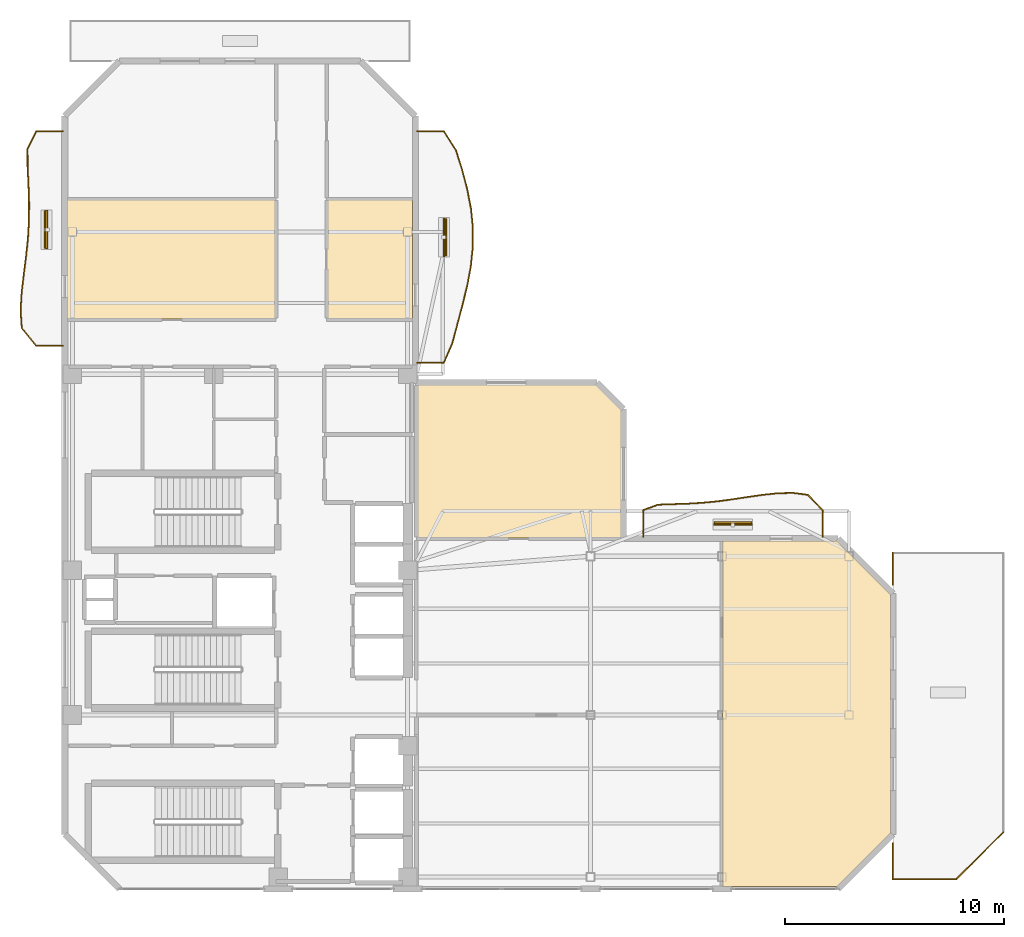
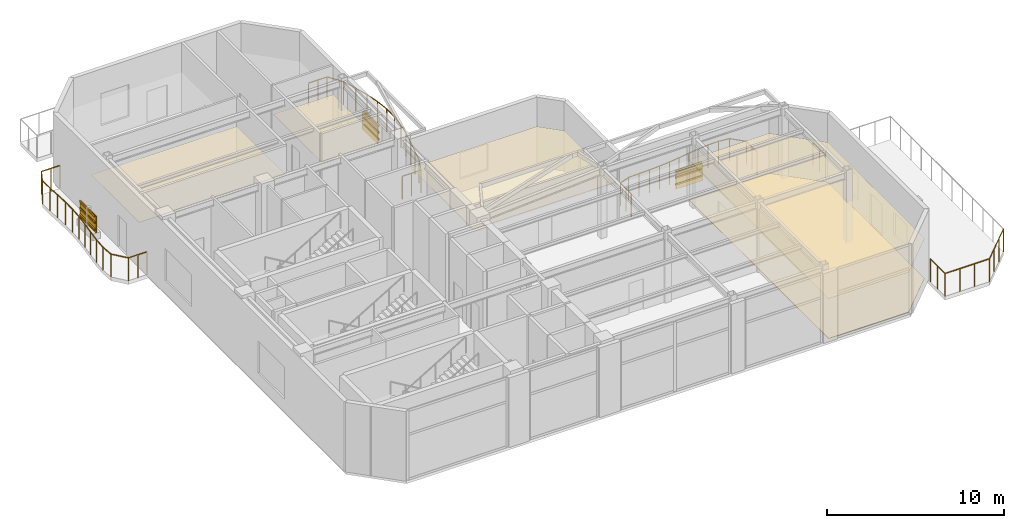
# One storey, part 13 of 14: 12 shading devices, 7 railings, 5 coverings.
"""IFC4 building model written with IfcOpenShell, lengths in metres."""

from ifc_helpers import new_model, si_unit, direction, frame, origin, origin_2d, place, context, subcontext, project, spatial, polyline, rectangle, outline, extrude, material, layer, layer_set, material_profile, profile_set, type_object, element, save


model = new_model("IFC4")

# Units and contexts
model_context = context("Model", 3, precision=1e-05, world=origin(), true_north=direction((0.0, 1.0)))
body_context = subcontext(model_context, "Body", "Model", "MODEL_VIEW")
ifc_project = project(units=[si_unit("LENGTHUNIT", "METRE"), si_unit("AREAUNIT", "SQUARE_METRE"), si_unit("VOLUMEUNIT", "CUBIC_METRE"), si_unit("PLANEANGLEUNIT", "RADIAN"), si_unit("MASSUNIT", "GRAM", prefix="KILO")], contexts=[model_context])

# Site, building, storey
site_placement = place(None, origin())
site = spatial("IfcSite", under=ifc_project, at=site_placement, CompositionType="ELEMENT")
building_placement = place(site_placement, origin())
building = spatial("IfcBuilding", under=site, at=building_placement, Name="Mawjaban Terraces University", CompositionType="ELEMENT")
storey_placement = place(building_placement, frame((0.0, 0.0, 243.199951171875)))
storey = spatial("IfcBuildingStorey", under=building, at=storey_placement, Name="L59", CompositionType="ELEMENT", Elevation=243.199951171875)

# Coverings
ifc_material_1 = material(Name="Acoustic mineral fibre ceiling tile", Category="masonry")
ifc_layer_1 = layer(ifc_material_1, 0.02001953125)
ifc_layer_set_1 = layer_set([ifc_layer_1], Name="Acoustic mineral fibre ceiling tile")
covering_type_1 = type_object("IfcCoveringType", Name="AcousticMineralCeiling_20", PredefinedType="CEILING", material=ifc_layer_set_1)
covering_1_placement = place(storey_placement, frame((0.0, 0.0, 2.75)))
element("IfcCovering", 1, at=covering_1_placement, inside=storey, type_object=covering_type_1, Name="L59 Upper Research Sky Commons Acoustic Ceiling", PredefinedType="CEILING", context=body_context, shape_type="SweptSolid", body=[
    extrude(outline(polyline([(52.030029296875, 0.114990234375), (57.2529296875, 0.114990234375), (59.68505859375, 2.547119140625), (59.68505859375, 13.452880859375), (57.2529296875, 15.885009765625), (52.030029296875, 15.885009765625), (52.030029296875, 0.114990234375)])), origin(), (0.0, 0.0, 1.0), 0.02001953125),
])
covering_2_placement = place(storey_placement, frame((0.0, 0.0, 2.75)))
element("IfcCovering", 2, at=covering_2_placement, inside=storey, type_object=covering_type_1, Name="L59 High-Rise Terrace Study Room Acoustic Ceiling", PredefinedType="CEILING", context=body_context, shape_type="SweptSolid", body=[
    extrude(outline(polyline([(47.385009765625, 16.030029296875), (47.385009765625, 21.8779296875), (46.2529296875, 23.010009765625), (38.080078125, 23.010009765625), (38.080078125, 16.030029296875), (47.385009765625, 16.030029296875)])), origin(), (0.0, 0.0, 1.0), 0.02001953125),
])
covering_3_placement = place(storey_placement, frame((0.0, 0.0, 2.75)))
element("IfcCovering", 3, at=covering_3_placement, inside=storey, type_object=covering_type_1, Name="L59 Research Dean Office Acoustic Ceiling", PredefinedType="CEILING", context=body_context, shape_type="SweptSolid", body=[
    extrude(outline(polyline([(37.885009765625, 26.030029296875), (37.885009765625, 31.469970703125), (33.97998046875, 31.469970703125), (33.97998046875, 26.030029296875), (37.885009765625, 26.030029296875)])), origin(), (0.0, 0.0, 1.0), 0.02001953125),
])
covering_4_placement = place(storey_placement, frame((0.0, 0.0, 2.75)))
element("IfcCovering", 4, at=covering_4_placement, inside=storey, type_object=covering_type_1, Name="L59 Doctoral Research Workspace Acoustic Ceiling", PredefinedType="CEILING", context=body_context, shape_type="SweptSolid", body=[
    extrude(outline(polyline([(22.114990234375, 31.469970703125), (22.114990234375, 26.030029296875), (31.6201171875, 26.030029296875), (31.6201171875, 31.469970703125), (22.114990234375, 31.469970703125)])), origin(), (0.0, 0.0, 1.0), 0.02001953125),
])

# Railings
ifc_material_2 = material(Name="Galvanised powder-coated steel S355", Category="steel")
railing_type = type_object("IfcRailingType", Name="BalconyBalustrade_1600", PredefinedType="BALUSTRADE", material=ifc_material_2)
railing_1_placement = place(storey_placement, frame((21.919921875, 24.800048828125, 0.0)))
element("IfcRailing", 5, at=railing_1_placement, inside=storey, type_object=railing_type, Name="L59 Balcony Guardrail west", PredefinedType="BALUSTRADE", context=body_context, shape_type="SweptSolid", body=[
    extrude(rectangle(XDim=0.048095703125, YDim=0.048095703125, at=origin_2d()), frame((0.0, 0.0, 1.576171875), z_axis=(-1.0, 0.0, 0.0), x_axis=(0.0, -1.0, 0.0)), (0.0, 0.0, 1.0), 1.219970703125),
    extrude(rectangle(XDim=0.048095703125, YDim=0.048095703125, at=origin_2d()), frame((-1.219970703125, 0.0, 1.576171875), z_axis=(-0.632455870978, 0.774596392494, 0.0), x_axis=(-0.774596392494, -0.632455870978, 0.0)), (0.0, 0.0, 1.0), 1.0546875),
    extrude(rectangle(XDim=0.048095703125, YDim=0.048095703125, at=origin_2d()), frame((-1.886962890625, 0.81689453125, 1.576171875), z_axis=(-0.063586288171, 0.997976344387, 0.0), x_axis=(-0.997976344387, -0.063586288171, 0.0)), (0.0, 0.0, 1.0), 0.81787109375),
    extrude(rectangle(XDim=0.048095703125, YDim=0.048095703125, at=origin_2d()), frame((-1.93896484375, 1.633056640625, 1.576171875), z_axis=(0.061152519077, 0.998128433324, 0.0), x_axis=(-0.998128433324, 0.061152519077, 0.0)), (0.0, 0.0, 1.0), 0.818359375),
    extrude(rectangle(XDim=0.048095703125, YDim=0.048095703125, at=origin_2d()), frame((-1.888916015625, 2.449951171875, 1.576171875), z_axis=(0.116651804912, 0.993172873376, 0.0), x_axis=(-0.993172873376, 0.116651804912, 0.0)), (0.0, 0.0, 1.0), 0.822509765625),
    extrude(rectangle(XDim=0.048095703125, YDim=0.048095703125, at=origin_2d()), frame((-1.79296875, 3.266845703125, 1.576171875), z_axis=(0.126408243371, 0.991978304202, 0.0), x_axis=(-0.991978304202, 0.126408243371, 0.0)), (0.0, 0.0, 1.0), 0.82275390625),
    extrude(rectangle(XDim=0.048095703125, YDim=0.048095703125, at=origin_2d()), frame((-1.68896484375, 4.0830078125, 1.576171875), z_axis=(0.103446794992, 0.994634988629, 0.0), x_axis=(-0.994634988629, 0.103446794992, 0.0)), (0.0, 0.0, 1.0), 0.8212890625),
    extrude(rectangle(XDim=0.048095703125, YDim=0.048095703125, at=origin_2d()), frame((-1.60400390625, 4.89990234375, 1.576171875), z_axis=(0.057567949493, 0.998341590434, 0.0), x_axis=(-0.998341590434, 0.057567949493, 0.0)), (0.0, 0.0, 1.0), 0.818603515625),
    extrude(rectangle(XDim=0.048095703125, YDim=0.048095703125, at=origin_2d()), frame((-1.556884765625, 5.717041015625, 1.576171875), z_axis=(0.007181143377, 0.999974215257, 0.0), x_axis=(-0.999974215257, 0.007181143377, 0.0)), (0.0, 0.0, 1.0), 0.81591796875),
    extrude(rectangle(XDim=0.048095703125, YDim=0.048095703125, at=origin_2d()), frame((-1.551025390625, 6.532958984375, 1.576171875), z_axis=(-0.035244079696, 0.999378734438, 0.0), x_axis=(-0.999378734438, -0.035244079696, 0.0)), (0.0, 0.0, 1.0), 0.8173828125),
    extrude(rectangle(XDim=0.048095703125, YDim=0.048095703125, at=origin_2d()), frame((-1.579833984375, 7.349853515625, 1.576171875), z_axis=(-0.04894038811, 0.998801701246, 0.0), x_axis=(-0.998801701246, -0.04894038811, 0.0)), (0.0, 0.0, 1.0), 0.818115234375),
    extrude(rectangle(XDim=0.048095703125, YDim=0.048095703125, at=origin_2d()), frame((-1.619873046875, 8.1669921875, 1.576171875), z_axis=(-0.003590641126, 0.999993553627, 0.0), x_axis=(-0.999993553627, -0.003590641126, 0.0)), (0.0, 0.0, 1.0), 0.81591796875),
    extrude(rectangle(XDim=0.048095703125, YDim=0.048095703125, at=origin_2d()), frame((-1.622802734375, 8.98291015625, 1.576171875), z_axis=(0.442168460361, 0.89693202232, 0.0), x_axis=(-0.89693202232, 0.442168460361, 0.0)), (0.0, 0.0, 1.0), 0.9111328125),
    extrude(rectangle(XDim=0.048095703125, YDim=0.048095703125, at=origin_2d()), frame((-1.219970703125, 9.800048828125, 1.576171875), z_axis=(1.0, 0.0, 0.0), x_axis=(0.0, 1.0, 0.0)), (0.0, 0.0, 1.0), 1.219970703125),
    extrude(rectangle(XDim=0.0419921875, YDim=0.0419921875, at=origin_2d()), origin(), (0.0, 0.0, 1.0), 1.552001953125),
    extrude(rectangle(XDim=0.0419921875, YDim=0.0419921875, at=origin_2d()), frame((-0.60986328125, 0.0, 0.0)), (0.0, 0.0, 1.0), 1.552001953125),
    extrude(rectangle(XDim=0.0419921875, YDim=0.0419921875, at=origin_2d()), frame((-1.219970703125, 0.0, 0.0)), (0.0, 0.0, 1.0), 1.552001953125),
    extrude(rectangle(XDim=0.0419921875, YDim=0.0419921875, at=origin_2d()), frame((-1.886962890625, 0.81689453125, 0.0)), (0.0, 0.0, 1.0), 1.552001953125),
    extrude(rectangle(XDim=0.0419921875, YDim=0.0419921875, at=origin_2d()), frame((-1.93896484375, 1.633056640625, 0.0)), (0.0, 0.0, 1.0), 1.552001953125),
    extrude(rectangle(XDim=0.0419921875, YDim=0.0419921875, at=origin_2d()), frame((-1.888916015625, 2.449951171875, 0.0)), (0.0, 0.0, 1.0), 1.552001953125),
    extrude(rectangle(XDim=0.0419921875, YDim=0.0419921875, at=origin_2d()), frame((-1.79296875, 3.266845703125, 0.0)), (0.0, 0.0, 1.0), 1.552001953125),
    extrude(rectangle(XDim=0.0419921875, YDim=0.0419921875, at=origin_2d()), frame((-1.68896484375, 4.0830078125, 0.0)), (0.0, 0.0, 1.0), 1.552001953125),
    extrude(rectangle(XDim=0.0419921875, YDim=0.0419921875, at=origin_2d()), frame((-1.60400390625, 4.89990234375, 0.0)), (0.0, 0.0, 1.0), 1.552001953125),
    extrude(rectangle(XDim=0.0419921875, YDim=0.0419921875, at=origin_2d()), frame((-1.556884765625, 5.717041015625, 0.0)), (0.0, 0.0, 1.0), 1.552001953125),
    extrude(rectangle(XDim=0.0419921875, YDim=0.0419921875, at=origin_2d()), frame((-1.551025390625, 6.532958984375, 0.0)), (0.0, 0.0, 1.0), 1.552001953125),
    extrude(rectangle(XDim=0.0419921875, YDim=0.0419921875, at=origin_2d()), frame((-1.579833984375, 7.349853515625, 0.0)), (0.0, 0.0, 1.0), 1.552001953125),
    extrude(rectangle(XDim=0.0419921875, YDim=0.0419921875, at=origin_2d()), frame((-1.619873046875, 8.1669921875, 0.0)), (0.0, 0.0, 1.0), 1.552001953125),
    extrude(rectangle(XDim=0.0419921875, YDim=0.0419921875, at=origin_2d()), frame((-1.622802734375, 8.98291015625, 0.0)), (0.0, 0.0, 1.0), 1.552001953125),
    extrude(rectangle(XDim=0.0419921875, YDim=0.0419921875, at=origin_2d()), frame((-1.219970703125, 9.800048828125, 0.0)), (0.0, 0.0, 1.0), 1.552001953125),
    extrude(rectangle(XDim=0.0419921875, YDim=0.0419921875, at=origin_2d()), frame((-0.60986328125, 9.800048828125, 0.0)), (0.0, 0.0, 1.0), 1.552001953125),
    extrude(rectangle(XDim=0.0419921875, YDim=0.0419921875, at=origin_2d()), frame((0.0, 9.800048828125, 0.0)), (0.0, 0.0, 1.0), 1.552001953125),
])
railing_2_placement = place(storey_placement, frame((48.39990234375, 16.080078125, 0.0)))
element("IfcRailing", 6, at=railing_2_placement, inside=storey, type_object=railing_type, Name="L59 Balcony Guardrail inner_north", PredefinedType="BALUSTRADE", context=body_context, shape_type="SweptSolid", body=[
    extrude(rectangle(XDim=0.048095703125, YDim=0.048095703125, at=origin_2d()), frame((0.0, 0.0, 1.576171875), z_axis=(0.0, 1.0, 0.0), x_axis=(-1.0, 0.0, 0.0)), (0.0, 0.0, 1.0), 1.219970703125),
    extrude(rectangle(XDim=0.048095703125, YDim=0.048095703125, at=origin_2d()), frame((0.0, 1.219970703125, 1.576171875), z_axis=(0.938217106188, 0.346047195706, 0.0), x_axis=(-0.346047195706, 0.938217106188, 0.0)), (0.0, 0.0, 1.0), 0.72802734375),
    extrude(rectangle(XDim=0.048095703125, YDim=0.048095703125, at=origin_2d()), frame((0.68310546875, 1.471923828125, 1.576171875), z_axis=(0.999338084243, 0.036378474159, 0.0), x_axis=(-0.036378474159, 0.999338084243, 0.0)), (0.0, 0.0, 1.0), 0.6845703125),
    extrude(rectangle(XDim=0.048095703125, YDim=0.048095703125, at=origin_2d()), frame((1.3671875, 1.496826171875, 1.576171875), z_axis=(0.999471161284, 0.032517653084, 0.0), x_axis=(-0.032517653084, 0.999471161284, 0.0)), (0.0, 0.0, 1.0), 0.68310546875),
    extrude(rectangle(XDim=0.048095703125, YDim=0.048095703125, at=origin_2d()), frame((2.050048828125, 1.51904296875, 1.576171875), z_axis=(0.998115905208, 0.061356660363, 0.0), x_axis=(-0.061356660363, 0.998115905208, 0.0)), (0.0, 0.0, 1.0), 0.684326171875),
    extrude(rectangle(XDim=0.048095703125, YDim=0.048095703125, at=origin_2d()), frame((2.733154296875, 1.56103515625, 1.576171875), z_axis=(0.995110784009, 0.098765011765, 0.0), x_axis=(-0.098765011765, 0.995110784009, 0.0)), (0.0, 0.0, 1.0), 0.687255859375),
    extrude(rectangle(XDim=0.048095703125, YDim=0.048095703125, at=origin_2d()), frame((3.4169921875, 1.62890625, 1.576171875), z_axis=(0.991230994421, 0.132140514982, 0.0), x_axis=(-0.132140514982, 0.991230994421, 0.0)), (0.0, 0.0, 1.0), 0.689208984375),
    extrude(rectangle(XDim=0.048095703125, YDim=0.048095703125, at=origin_2d()), frame((4.10009765625, 1.719970703125, 1.576171875), z_axis=(0.988607410539, 0.150517068224, 0.0), x_axis=(-0.150517068224, 0.988607410539, 0.0)), (0.0, 0.0, 1.0), 0.69091796875),
    extrude(rectangle(XDim=0.048095703125, YDim=0.048095703125, at=origin_2d()), frame((4.783203125, 1.823974609375, 1.576171875), z_axis=(0.989907039708, 0.141718215967, 0.0), x_axis=(-0.141718215967, 0.989907039708, 0.0)), (0.0, 0.0, 1.0), 0.69091796875),
    extrude(rectangle(XDim=0.048095703125, YDim=0.048095703125, at=origin_2d()), frame((5.467041015625, 1.921875, 1.576171875), z_axis=(0.994487911018, 0.104851298696, 0.0), x_axis=(-0.104851298696, 0.994487911018, 0.0)), (0.0, 0.0, 1.0), 0.68701171875),
    extrude(rectangle(XDim=0.048095703125, YDim=0.048095703125, at=origin_2d()), frame((6.150146484375, 1.993896484375, 1.576171875), z_axis=(0.999721713829, 0.023590144123, 0.0), x_axis=(-0.023590144123, 0.999721713829, 0.0)), (0.0, 0.0, 1.0), 0.68310546875),
    extrude(rectangle(XDim=0.048095703125, YDim=0.048095703125, at=origin_2d()), frame((6.8330078125, 2.010009765625, 1.576171875), z_axis=(0.991980973128, -0.126387297433, 0.0), x_axis=(0.126387297433, 0.991980973128, 0.0)), (0.0, 0.0, 1.0), 0.689697265625),
    extrude(rectangle(XDim=0.048095703125, YDim=0.048095703125, at=origin_2d()), frame((7.51708984375, 1.9228515625, 1.576171875), z_axis=(0.696946773248, -0.71712285925, 0.0), x_axis=(0.71712285925, 0.696946773248, 0.0)), (0.0, 0.0, 1.0), 0.980224609375),
    extrude(rectangle(XDim=0.048095703125, YDim=0.048095703125, at=origin_2d()), frame((8.2001953125, 1.219970703125, 1.576171875), z_axis=(0.0, -1.0, 0.0), x_axis=(1.0, 0.0, 0.0)), (0.0, 0.0, 1.0), 1.219970703125),
    extrude(rectangle(XDim=0.0419921875, YDim=0.0419921875, at=origin_2d()), origin(), (0.0, 0.0, 1.0), 1.552001953125),
    extrude(rectangle(XDim=0.0419921875, YDim=0.0419921875, at=origin_2d()), frame((0.0, 0.60986328125, 0.0)), (0.0, 0.0, 1.0), 1.552001953125),
    extrude(rectangle(XDim=0.0419921875, YDim=0.0419921875, at=origin_2d()), frame((0.0, 1.219970703125, 0.0)), (0.0, 0.0, 1.0), 1.552001953125),
    extrude(rectangle(XDim=0.0419921875, YDim=0.0419921875, at=origin_2d()), frame((0.68310546875, 1.471923828125, 0.0)), (0.0, 0.0, 1.0), 1.552001953125),
    extrude(rectangle(XDim=0.0419921875, YDim=0.0419921875, at=origin_2d()), frame((1.3671875, 1.496826171875, 0.0)), (0.0, 0.0, 1.0), 1.552001953125),
    extrude(rectangle(XDim=0.0419921875, YDim=0.0419921875, at=origin_2d()), frame((2.050048828125, 1.51904296875, 0.0)), (0.0, 0.0, 1.0), 1.552001953125),
    extrude(rectangle(XDim=0.0419921875, YDim=0.0419921875, at=origin_2d()), frame((2.733154296875, 1.56103515625, 0.0)), (0.0, 0.0, 1.0), 1.552001953125),
    extrude(rectangle(XDim=0.0419921875, YDim=0.0419921875, at=origin_2d()), frame((3.4169921875, 1.62890625, 0.0)), (0.0, 0.0, 1.0), 1.552001953125),
    extrude(rectangle(XDim=0.0419921875, YDim=0.0419921875, at=origin_2d()), frame((4.10009765625, 1.719970703125, 0.0)), (0.0, 0.0, 1.0), 1.552001953125),
    extrude(rectangle(XDim=0.0419921875, YDim=0.0419921875, at=origin_2d()), frame((4.783203125, 1.823974609375, 0.0)), (0.0, 0.0, 1.0), 1.552001953125),
    extrude(rectangle(XDim=0.0419921875, YDim=0.0419921875, at=origin_2d()), frame((5.467041015625, 1.921875, 0.0)), (0.0, 0.0, 1.0), 1.552001953125),
    extrude(rectangle(XDim=0.0419921875, YDim=0.0419921875, at=origin_2d()), frame((6.150146484375, 1.993896484375, 0.0)), (0.0, 0.0, 1.0), 1.552001953125),
    extrude(rectangle(XDim=0.0419921875, YDim=0.0419921875, at=origin_2d()), frame((6.8330078125, 2.010009765625, 0.0)), (0.0, 0.0, 1.0), 1.552001953125),
    extrude(rectangle(XDim=0.0419921875, YDim=0.0419921875, at=origin_2d()), frame((7.51708984375, 1.9228515625, 0.0)), (0.0, 0.0, 1.0), 1.552001953125),
    extrude(rectangle(XDim=0.0419921875, YDim=0.0419921875, at=origin_2d()), frame((8.2001953125, 1.219970703125, 0.0)), (0.0, 0.0, 1.0), 1.552001953125),
    extrude(rectangle(XDim=0.0419921875, YDim=0.0419921875, at=origin_2d()), frame((8.2001953125, 0.60986328125, 0.0)), (0.0, 0.0, 1.0), 1.552001953125),
    extrude(rectangle(XDim=0.0419921875, YDim=0.0419921875, at=origin_2d()), frame((8.2001953125, 0.0, 0.0)), (0.0, 0.0, 1.0), 1.552001953125),
])
railing_3_placement = place(storey_placement, frame((38.080078125, 24.02490234375, 0.0)))
element("IfcRailing", 7, at=railing_3_placement, inside=storey, type_object=railing_type, Name="L59 Balcony Guardrail inner_east", PredefinedType="BALUSTRADE", context=body_context, shape_type="SweptSolid", body=[
    extrude(rectangle(XDim=0.048095703125, YDim=0.048095703125, at=origin_2d()), frame((0.0, 0.0, 1.576171875), z_axis=(1.0, 0.0, 0.0), x_axis=(0.0, 1.0, 0.0)), (0.0, 0.0, 1.0), 1.219970703125),
    extrude(rectangle(XDim=0.048095703125, YDim=0.048095703125, at=origin_2d()), frame((1.219970703125, 0.0, 1.576171875), z_axis=(0.406349871439, 0.913717561384, 0.0), x_axis=(-0.913717561384, 0.406349871439, 0.0)), (0.0, 0.0, 1.0), 0.96435546875),
    extrude(rectangle(XDim=0.048095703125, YDim=0.048095703125, at=origin_2d()), frame((1.61181640625, 0.881103515625, 1.576171875), z_axis=(0.255811571783, 0.966726662372, 0.0), x_axis=(-0.966726662372, 0.255811571783, 0.0)), (0.0, 0.0, 1.0), 0.911376953125),
    extrude(rectangle(XDim=0.048095703125, YDim=0.048095703125, at=origin_2d()), frame((1.844970703125, 1.76220703125, 1.576171875), z_axis=(0.257362916856, 0.966314818797, 0.0), x_axis=(-0.966314818797, 0.257362916856, 0.0)), (0.0, 0.0, 1.0), 0.91259765625),
    extrude(rectangle(XDim=0.048095703125, YDim=0.048095703125, at=origin_2d()), frame((2.079833984375, 2.64404296875, 1.576171875), z_axis=(0.236131717042, 0.971721056789, 0.0), x_axis=(-0.971721056789, 0.236131717042, 0.0)), (0.0, 0.0, 1.0), 0.90673828125),
    extrude(rectangle(XDim=0.048095703125, YDim=0.048095703125, at=origin_2d()), frame((2.2939453125, 3.525146484375, 1.576171875), z_axis=(0.184156948664, 0.982896850264, 0.0), x_axis=(-0.982896850264, 0.184156948664, 0.0)), (0.0, 0.0, 1.0), 0.896240234375),
    extrude(rectangle(XDim=0.048095703125, YDim=0.048095703125, at=origin_2d()), frame((2.458984375, 4.406005859375, 1.576171875), z_axis=(0.102532401063, 0.994729665151, 0.0), x_axis=(-0.994729665151, 0.102532401063, 0.0)), (0.0, 0.0, 1.0), 0.8857421875),
    extrude(rectangle(XDim=0.048095703125, YDim=0.048095703125, at=origin_2d()), frame((2.5498046875, 5.287109375, 1.576171875), z_axis=(0.003598094616, 0.999993526837, 0.0), x_axis=(-0.999993526837, 0.003598094616, 0.0)), (0.0, 0.0, 1.0), 0.882080078125),
    extrude(rectangle(XDim=0.048095703125, YDim=0.048095703125, at=origin_2d()), frame((2.552978515625, 6.169189453125, 1.576171875), z_axis=(-0.10174201541, 0.994810817342, 0.0), x_axis=(-0.994810817342, -0.10174201541, 0.0)), (0.0, 0.0, 1.0), 0.885498046875),
    extrude(rectangle(XDim=0.048095703125, YDim=0.048095703125, at=origin_2d()), frame((2.462890625, 7.050048828125, 1.576171875), z_axis=(-0.189362014344, 0.981907341618, 0.0), x_axis=(-0.981907341618, -0.189362014344, 0.0)), (0.0, 0.0, 1.0), 0.897216796875),
    extrude(rectangle(XDim=0.048095703125, YDim=0.048095703125, at=origin_2d()), frame((2.29296875, 7.93115234375, 1.576171875), z_axis=(-0.254361503391, 0.967109210789, 0.0), x_axis=(-0.967109210789, -0.254361503391, 0.0)), (0.0, 0.0, 1.0), 0.911865234375),
    extrude(rectangle(XDim=0.048095703125, YDim=0.048095703125, at=origin_2d()), frame((2.06103515625, 8.81298828125, 1.576171875), z_axis=(-0.30000529347, 0.953937536681, 0.0), x_axis=(-0.953937536681, -0.30000529347, 0.0)), (0.0, 0.0, 1.0), 0.923583984375),
    extrude(rectangle(XDim=0.048095703125, YDim=0.048095703125, at=origin_2d()), frame((1.783935546875, 9.694091796875, 1.576171875), z_axis=(-0.539093430292, 0.842245969664, 0.0), x_axis=(-0.842245969664, -0.539093430292, 0.0)), (0.0, 0.0, 1.0), 1.046142578125),
    extrude(rectangle(XDim=0.048095703125, YDim=0.048095703125, at=origin_2d()), frame((1.219970703125, 10.5751953125, 1.576171875), z_axis=(-1.0, 0.0, 0.0), x_axis=(0.0, -1.0, 0.0)), (0.0, 0.0, 1.0), 1.219970703125),
    extrude(rectangle(XDim=0.0419921875, YDim=0.0419921875, at=origin_2d()), origin(), (0.0, 0.0, 1.0), 1.552001953125),
    extrude(rectangle(XDim=0.0419921875, YDim=0.0419921875, at=origin_2d()), frame((0.60986328125, 0.0, 0.0)), (0.0, 0.0, 1.0), 1.552001953125),
    extrude(rectangle(XDim=0.0419921875, YDim=0.0419921875, at=origin_2d()), frame((1.219970703125, 0.0, 0.0)), (0.0, 0.0, 1.0), 1.552001953125),
    extrude(rectangle(XDim=0.0419921875, YDim=0.0419921875, at=origin_2d()), frame((1.61181640625, 0.881103515625, 0.0)), (0.0, 0.0, 1.0), 1.552001953125),
    extrude(rectangle(XDim=0.0419921875, YDim=0.0419921875, at=origin_2d()), frame((1.844970703125, 1.76220703125, 0.0)), (0.0, 0.0, 1.0), 1.552001953125),
    extrude(rectangle(XDim=0.0419921875, YDim=0.0419921875, at=origin_2d()), frame((2.079833984375, 2.64404296875, 0.0)), (0.0, 0.0, 1.0), 1.552001953125),
    extrude(rectangle(XDim=0.0419921875, YDim=0.0419921875, at=origin_2d()), frame((2.2939453125, 3.525146484375, 0.0)), (0.0, 0.0, 1.0), 1.552001953125),
    extrude(rectangle(XDim=0.0419921875, YDim=0.0419921875, at=origin_2d()), frame((2.458984375, 4.406005859375, 0.0)), (0.0, 0.0, 1.0), 1.552001953125),
    extrude(rectangle(XDim=0.0419921875, YDim=0.0419921875, at=origin_2d()), frame((2.5498046875, 5.287109375, 0.0)), (0.0, 0.0, 1.0), 1.552001953125),
    extrude(rectangle(XDim=0.0419921875, YDim=0.0419921875, at=origin_2d()), frame((2.552978515625, 6.169189453125, 0.0)), (0.0, 0.0, 1.0), 1.552001953125),
    extrude(rectangle(XDim=0.0419921875, YDim=0.0419921875, at=origin_2d()), frame((2.462890625, 7.050048828125, 0.0)), (0.0, 0.0, 1.0), 1.552001953125),
    extrude(rectangle(XDim=0.0419921875, YDim=0.0419921875, at=origin_2d()), frame((2.29296875, 7.93115234375, 0.0)), (0.0, 0.0, 1.0), 1.552001953125),
    extrude(rectangle(XDim=0.0419921875, YDim=0.0419921875, at=origin_2d()), frame((2.06103515625, 8.81298828125, 0.0)), (0.0, 0.0, 1.0), 1.552001953125),
    extrude(rectangle(XDim=0.0419921875, YDim=0.0419921875, at=origin_2d()), frame((1.783935546875, 9.694091796875, 0.0)), (0.0, 0.0, 1.0), 1.552001953125),
    extrude(rectangle(XDim=0.0419921875, YDim=0.0419921875, at=origin_2d()), frame((1.219970703125, 10.5751953125, 0.0)), (0.0, 0.0, 1.0), 1.552001953125),
    extrude(rectangle(XDim=0.0419921875, YDim=0.0419921875, at=origin_2d()), frame((0.60986328125, 10.5751953125, 0.0)), (0.0, 0.0, 1.0), 1.552001953125),
    extrude(rectangle(XDim=0.0419921875, YDim=0.0419921875, at=origin_2d()), frame((0.0, 10.5751953125, 0.0)), (0.0, 0.0, 1.0), 1.552001953125),
])
railing_4_placement = place(storey_placement, frame((59.800048828125, 0.449951171875, 0.0)))
element("IfcRailing", 8, at=railing_4_placement, inside=storey, type_object=railing_type, Name="L59 Terrace Guardrail TER-L59-EAST.1", PredefinedType="BALUSTRADE", context=body_context, shape_type="SweptSolid", body=[
    extrude(rectangle(XDim=0.048095703125, YDim=0.048095703125, at=origin_2d()), frame((0.0, 0.0, 1.576171875), z_axis=(1.0, 0.0, 0.0), x_axis=(0.0, 1.0, 0.0)), (0.0, 0.0, 1.0), 2.89990234375),
    extrude(rectangle(XDim=0.0419921875, YDim=0.0419921875, at=origin_2d()), origin(), (0.0, 0.0, 1.0), 1.552001953125),
    extrude(rectangle(XDim=0.0419921875, YDim=0.0419921875, at=origin_2d()), frame((0.966552734375, 0.0, 0.0)), (0.0, 0.0, 1.0), 1.552001953125),
    extrude(rectangle(XDim=0.0419921875, YDim=0.0419921875, at=origin_2d()), frame((1.933349609375, 0.0, 0.0)), (0.0, 0.0, 1.0), 1.552001953125),
    extrude(rectangle(XDim=0.0419921875, YDim=0.0419921875, at=origin_2d()), frame((2.89990234375, 0.0, 0.0)), (0.0, 0.0, 1.0), 1.552001953125),
])
railing_5_placement = place(storey_placement, frame((62.699951171875, 0.449951171875, 0.0)))
element("IfcRailing", 9, at=railing_5_placement, inside=storey, type_object=railing_type, Name="L59 Terrace Guardrail TER-L59-EAST.2", PredefinedType="BALUSTRADE", context=body_context, shape_type="SweptSolid", body=[
    extrude(rectangle(XDim=0.048095703125, YDim=0.048095703125, at=origin_2d()), frame((0.0, 0.0, 1.576171875), z_axis=(0.707106781187, 0.707106781187, 0.0), x_axis=(-0.707106781187, 0.707106781187, 0.0)), (0.0, 0.0, 1.0), 3.040771484375),
    extrude(rectangle(XDim=0.0419921875, YDim=0.0419921875, at=origin_2d()), origin(), (0.0, 0.0, 1.0), 1.552001953125),
    extrude(rectangle(XDim=0.0419921875, YDim=0.0419921875, at=origin_2d()), frame((0.716796875, 0.716796875, 0.0)), (0.0, 0.0, 1.0), 1.552001953125),
    extrude(rectangle(XDim=0.0419921875, YDim=0.0419921875, at=origin_2d()), frame((1.433349609375, 1.433349609375, 0.0)), (0.0, 0.0, 1.0), 1.552001953125),
    extrude(rectangle(XDim=0.0419921875, YDim=0.0419921875, at=origin_2d()), frame((2.150146484375, 2.150146484375, 0.0)), (0.0, 0.0, 1.0), 1.552001953125),
])
railing_6_placement = place(storey_placement, frame((59.800048828125, 15.35009765625, 0.0)))
element("IfcRailing", 10, at=railing_6_placement, inside=storey, type_object=railing_type, Name="L59 Terrace Guardrail TER-L59-EAST.5", PredefinedType="BALUSTRADE", context=body_context, shape_type="SweptSolid", body=[
    extrude(rectangle(XDim=0.048095703125, YDim=0.048095703125, at=origin_2d()), frame((0.0, 0.0, 1.576171875), z_axis=(0.0, -1.0, 0.0), x_axis=(1.0, 0.0, 0.0)), (0.0, 0.0, 1.0), 1.4541015625),
    extrude(rectangle(XDim=0.0419921875, YDim=0.0419921875, at=origin_2d()), origin(), (0.0, 0.0, 1.0), 1.552001953125),
    extrude(rectangle(XDim=0.0419921875, YDim=0.0419921875, at=origin_2d()), frame((0.0, -0.72705078125, 0.0)), (0.0, 0.0, 1.0), 1.552001953125),
    extrude(rectangle(XDim=0.0419921875, YDim=0.0419921875, at=origin_2d()), frame((0.0, -1.4541015625, 0.0)), (0.0, 0.0, 1.0), 1.552001953125),
])
railing_7_placement = place(storey_placement, frame((59.800048828125, 2.10400390625, 0.0)))
element("IfcRailing", 11, at=railing_7_placement, inside=storey, type_object=railing_type, Name="L59 Terrace Guardrail TER-L59-EAST.6", PredefinedType="BALUSTRADE", context=body_context, shape_type="SweptSolid", body=[
    extrude(rectangle(XDim=0.048095703125, YDim=0.048095703125, at=origin_2d()), frame((0.0, 0.0, 1.576171875), z_axis=(0.0, -1.0, 0.0), x_axis=(1.0, 0.0, 0.0)), (0.0, 0.0, 1.0), 1.654052734375),
    extrude(rectangle(XDim=0.0419921875, YDim=0.0419921875, at=origin_2d()), origin(), (0.0, 0.0, 1.0), 1.552001953125),
    extrude(rectangle(XDim=0.0419921875, YDim=0.0419921875, at=origin_2d()), frame((0.0, -0.8271484375, 0.0)), (0.0, 0.0, 1.0), 1.552001953125),
    extrude(rectangle(XDim=0.0419921875, YDim=0.0419921875, at=origin_2d()), frame((0.0, -1.654052734375, 0.0)), (0.0, 0.0, 1.0), 1.552001953125),
])

# Shading devices
ifc_material_3 = material(Name="Glazed architectural terracotta ceramic", Category="masonry")
ifc_material_profile = material_profile(ifc_material_3, rectangle(XDim=0.06494140625, YDim=0.110107421875, at=origin_2d()), Name="TBAG110X65")
ifc_profile_set = profile_set([ifc_material_profile], Name="Glazed architectural terracotta ceramic")
shading_device_type_1 = type_object("IfcShadingDeviceType", Name="TerracottaBaguette_110x65", PredefinedType="USERDEFINED", material=ifc_profile_set)
for number, where, z_axis, x_axis, name in (
    (12, (21.090087890625, 29.258056640625, 0.679931640625), (0.0, 1.0, 0.0), (-1.0, 0.0, 0.0), "L59 Horizontal Terracotta Baguette west.1"),
    (13, (21.090087890625, 29.258056640625, 1.150146484375), (0.0, 1.0, 0.0), (-1.0, 0.0, 0.0), "L59 Horizontal Terracotta Baguette west.2"),
    (14, (21.090087890625, 29.258056640625, 1.6201171875), (0.0, 1.0, 0.0), (-1.0, 0.0, 0.0), "L59 Horizontal Terracotta Baguette west.3"),
):
    element("IfcShadingDevice", number, at=place(storey_placement, frame(where, z_axis=z_axis, x_axis=x_axis)), inside=storey, type_object=shading_device_type_1, Name=name, ObjectType="BAGUETTE", PredefinedType="USERDEFINED", context=body_context, shape_type="SweptSolid", body=[
        extrude(rectangle(XDim=0.06494140625, YDim=0.110107421875, at=origin_2d()), origin(), (0.0, 0.0, 1.0), 1.699951171875),
    ])
for number, where, z_axis, x_axis, name in (
    (15, (51.64990234375, 16.72998046875, 0.679931640625), (1.0, 0.0, 0.0), (0.0, 1.0, 0.0), "L59 Horizontal Terracotta Baguette inner_north.1"),
    (16, (51.64990234375, 16.72998046875, 1.150146484375), (1.0, 0.0, 0.0), (0.0, 1.0, 0.0), "L59 Horizontal Terracotta Baguette inner_north.2"),
    (17, (51.64990234375, 16.72998046875, 1.6201171875), (1.0, 0.0, 0.0), (0.0, 1.0, 0.0), "L59 Horizontal Terracotta Baguette inner_north.3"),
):
    element("IfcShadingDevice", number, at=place(storey_placement, frame(where, z_axis=z_axis, x_axis=x_axis)), inside=storey, type_object=shading_device_type_1, Name=name, ObjectType="BAGUETTE", PredefinedType="USERDEFINED", context=body_context, shape_type="SweptSolid", body=[
        extrude(rectangle(XDim=0.06494140625, YDim=0.110107421875, at=origin_2d()), origin(), (0.0, 0.0, 1.0), 1.7001953125),
    ])
for number, where, z_axis, x_axis, name in (
    (18, (39.39599609375, 28.903076171875, 0.679931640625), (0.0, 1.0, 0.0), (-1.0, 0.0, 0.0), "L59 Horizontal Terracotta Baguette inner_east.1"),
    (19, (39.39599609375, 28.903076171875, 1.150146484375), (0.0, 1.0, 0.0), (-1.0, 0.0, 0.0), "L59 Horizontal Terracotta Baguette inner_east.2"),
    (20, (39.39599609375, 28.903076171875, 1.6201171875), (0.0, 1.0, 0.0), (-1.0, 0.0, 0.0), "L59 Horizontal Terracotta Baguette inner_east.3"),
):
    element("IfcShadingDevice", number, at=place(storey_placement, frame(where, z_axis=z_axis, x_axis=x_axis)), inside=storey, type_object=shading_device_type_1, Name=name, ObjectType="BAGUETTE", PredefinedType="USERDEFINED", context=body_context, shape_type="SweptSolid", body=[
        extrude(rectangle(XDim=0.06494140625, YDim=0.110107421875, at=origin_2d()), origin(), (0.0, 0.0, 1.0), 1.699951171875),
    ])
ifc_layer_2 = layer(ifc_material_3, 0.080078125)
ifc_layer_set_2 = layer_set([ifc_layer_2], Name="Glazed architectural terracotta ceramic")
shading_device_type_2 = type_object("IfcShadingDeviceType", Name="TerracottaScreen_Perforated", PredefinedType="USERDEFINED", material=ifc_layer_set_2)
for number, where, z_axis, x_axis, name in (
    (21, (21.175048828125, 30.10791015625, 0.440185546875), (0.0, 0.0, 1.0), (0.0, 1.0, 0.0), "L59 Balcony Perforated Terracotta Screen west"),
    (22, (52.5, 16.64501953125, 0.440185546875), (0.0, 0.0, 1.0), (1.0, 0.0, 0.0), "L59 Balcony Perforated Terracotta Screen inner_north"),
    (23, (39.31103515625, 29.7529296875, 0.440185546875), (0.0, 0.0, 1.0), (0.0, 1.0, 0.0), "L59 Balcony Perforated Terracotta Screen inner_east"),
):
    element("IfcShadingDevice", number, at=place(storey_placement, frame(where, z_axis=z_axis, x_axis=x_axis)), inside=storey, type_object=shading_device_type_2, Name=name, ObjectType="SCREEN", PredefinedType="USERDEFINED", context=body_context, shape_type="SweptSolid", body=[
        extrude(rectangle(XDim=1.75, YDim=0.080078125, at=origin_2d()), origin(), (0.0, 0.0, 1.0), 1.14990234375),
    ])

# Covering
ifc_material_4 = material(Name="Polished Hijazi granite terrazzo flooring", Category="masonry")
ifc_layer_3 = layer(ifc_material_4, 0.02490234375)
ifc_layer_set_3 = layer_set([ifc_layer_3], Name="Polished Hijazi granite terrazzo flooring")
covering_type_2 = type_object("IfcCoveringType", Name="TerrazzoConcourseFlooring_25", PredefinedType="FLOORING", material=ifc_layer_set_3)
covering_5_placement = place(storey_placement, origin())
element("IfcCovering", 24, at=covering_5_placement, inside=storey, type_object=covering_type_2, Name="L59 Upper Research Sky Commons Terrazzo Flooring", PredefinedType="FLOORING", context=body_context, shape_type="SweptSolid", body=[
    extrude(outline(polyline([(52.030029296875, 0.114990234375), (57.2529296875, 0.114990234375), (59.68505859375, 2.547119140625), (59.68505859375, 13.452880859375), (57.2529296875, 15.885009765625), (52.030029296875, 15.885009765625), (52.030029296875, 0.114990234375)])), origin(), (0.0, 0.0, 1.0), 0.025146484375),
])

save(model, "model.ifc")
